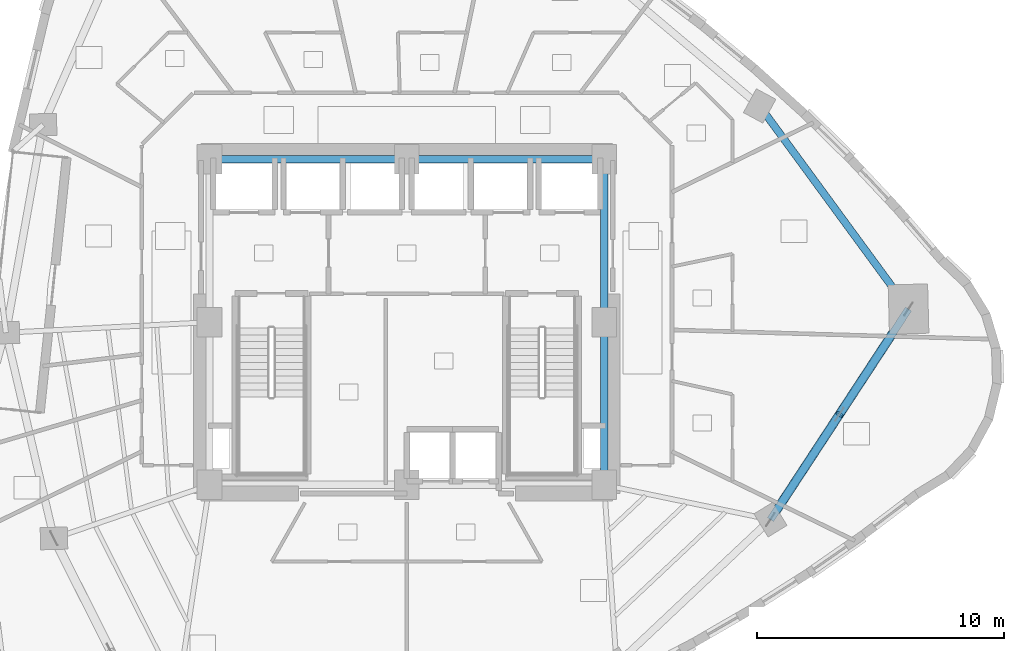
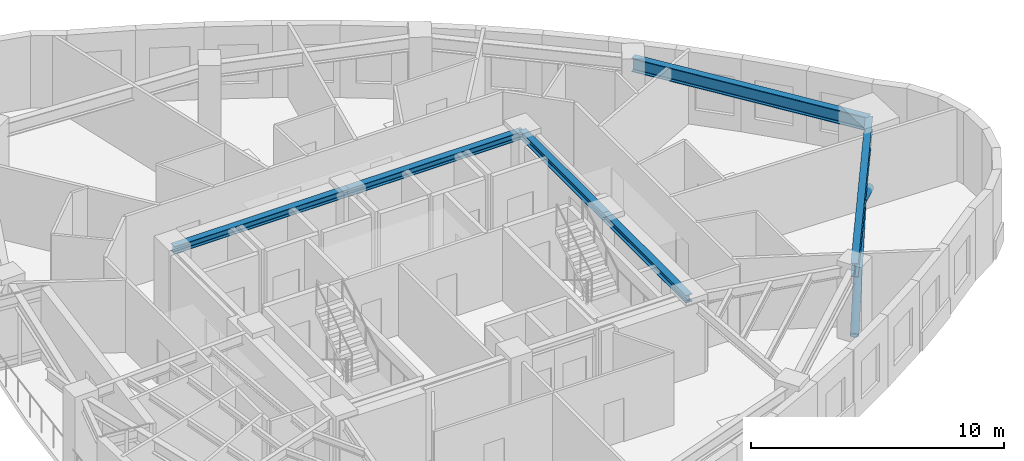
# One storey, part 6 of 16: 6 beams, 2 members.
"""IFC4 building model written with IfcOpenShell, lengths in metres."""

from ifc_helpers import new_model, si_unit, direction, frame, origin, origin_2d, place, context, subcontext, project, spatial, hollow_circle, i_section, extrude, material, material_profile, profile_set, type_object, element, save


model = new_model("IFC4")

# Units and contexts
model_context = context("Model", 3, precision=1e-05, world=origin(), true_north=direction((0.0, 1.0)))
body_context = subcontext(model_context, "Body", "Model", "MODEL_VIEW")
ifc_project = project(units=[si_unit("LENGTHUNIT", "METRE"), si_unit("AREAUNIT", "SQUARE_METRE"), si_unit("VOLUMEUNIT", "CUBIC_METRE"), si_unit("PLANEANGLEUNIT", "RADIAN"), si_unit("MASSUNIT", "GRAM", prefix="KILO")], contexts=[model_context])

# Site, building, storey
site_placement = place(None, origin())
site = spatial("IfcSite", under=ifc_project, at=site_placement, CompositionType="ELEMENT")
building_placement = place(site_placement, origin())
building = spatial("IfcBuilding", under=site, at=building_placement, Name="Ndelora Gate Hotel", CompositionType="ELEMENT")
storey_placement = place(building_placement, frame((0.0, 0.0, 97.25)))
storey = spatial("IfcBuildingStorey", under=building, at=storey_placement, Name="L23", CompositionType="ELEMENT", Elevation=97.25)

# Beams
ifc_material = material(Name="Steel S355", Category="steel")
ifc_material_profile_1 = material_profile(ifc_material, i_section(OverallWidth=0.300048828125, OverallDepth=0.360107421875, WebThickness=0.012451171875, FlangeThickness=0.0224609375, FilletRadius=0.027099609375, at=origin_2d()), Name="HEB 360")
ifc_profile_set_1 = profile_set([ifc_material_profile_1], Name="Steel S355")
beam_type_1 = type_object("IfcBeamType", Name="BM-CORE-360", PredefinedType="BEAM", material=ifc_profile_set_1)
for number, where, z_axis, x_axis, name in (
    (1, (-8.0, 6.60009765625, 3.320068359375), (1.0, 0.0, 0.0), (0.0, 1.0, 0.0), "L23 Core Tie Girder CC7-CC6"),
    (2, (0.0, 6.60009765625, 3.320068359375), (1.0, 0.0, 0.0), (0.0, 1.0, 0.0), "L23 Core Tie Girder CC6-CC5"),
):
    element("IfcBeam", number, at=place(storey_placement, frame(where, z_axis=z_axis, x_axis=x_axis)), inside=storey, type_object=beam_type_1, Name=name, PredefinedType="BEAM", context=body_context, shape_type="SweptSolid", body=[
        extrude(i_section(OverallWidth=0.300048828125, OverallDepth=0.360107421875, WebThickness=0.012451171875, FlangeThickness=0.0224609375, FilletRadius=0.027099609375, at=origin_2d()), origin(), (0.0, 0.0, 1.0), 8.0),
    ])
for number, where, z_axis, x_axis, name in (
    (3, (8.0, -6.60009765625, 3.320068359375), (0.0, 1.0, 0.0), (-1.0, 0.0, 0.0), "L23 Core Tie Girder CC3-CC4"),
    (4, (8.0, 0.0, 3.320068359375), (0.0, 1.0, 0.0), (-1.0, 0.0, 0.0), "L23 Core Tie Girder CC4-CC5"),
):
    element("IfcBeam", number, at=place(storey_placement, frame(where, z_axis=z_axis, x_axis=x_axis)), inside=storey, type_object=beam_type_1, Name=name, PredefinedType="BEAM", context=body_context, shape_type="SweptSolid", body=[
        extrude(i_section(OverallWidth=0.300048828125, OverallDepth=0.360107421875, WebThickness=0.012451171875, FlangeThickness=0.0224609375, FilletRadius=0.027099609375, at=origin_2d()), origin(), (0.0, 0.0, 1.0), 6.60009765625),
    ])
ifc_material_profile_2 = material_profile(ifc_material, i_section(OverallWidth=0.300048828125, OverallDepth=0.64990234375, WebThickness=0.01611328125, FlangeThickness=0.031005859375, FilletRadius=0.027099609375, at=origin_2d()), Name="HEB 650")
ifc_profile_set_2 = profile_set([ifc_material_profile_2], Name="Steel S355")
beam_type_2 = type_object("IfcBeamType", Name="BM-RING-650", PredefinedType="SPANDREL", material=ifc_profile_set_2)
for number, where, z_axis, x_axis, name in (
    (5, (14.74658203125, -8.006591796875, 3.175048828125), (0.548194123818, 0.836351123998, 0.0), (-0.836351123998, 0.548194123818, 0.0), "L23 Perimeter Spandrel Girder 8"),
    (6, (20.34375, 0.53271484375, 3.175048828125), (-0.591229932094, 0.806503048597, 0.0), (-0.806503048597, -0.591229932094, 0.0), "L23 Perimeter Spandrel Girder 9"),
):
    element("IfcBeam", number, at=place(storey_placement, frame(where, z_axis=z_axis, x_axis=x_axis)), inside=storey, type_object=beam_type_2, Name=name, PredefinedType="SPANDREL", context=body_context, shape_type="SweptSolid", body=[
        extrude(i_section(OverallWidth=0.300048828125, OverallDepth=0.64990234375, WebThickness=0.01611328125, FlangeThickness=0.031005859375, FilletRadius=0.027099609375, at=origin_2d()), origin(), (0.0, 0.0, 1.0), 10.210205078125),
    ])

# Members
ifc_material_profile_3 = material_profile(ifc_material, hollow_circle(Radius=0.177978515625, WallThickness=0.01611328125, at=origin_2d()), Name="CHS 356x16")
ifc_profile_set_3 = profile_set([ifc_material_profile_3], Name="Steel S355")
member_type = type_object("IfcMemberType", Name="MB-TUBE-356", PredefinedType="BRACE", material=ifc_profile_set_3)
member_1_placement = place(storey_placement, frame((14.74658203125, -8.006591796875, 0.02001953125), z_axis=(0.47546124485, 0.725365632901, 0.497776358671), x_axis=(-0.836343937987, 0.548205086982, 0.0)))
element("IfcMember", 7, at=member_1_placement, inside=storey, type_object=member_type, Name="L23 Perimeter Braced-Tube Diagonal 8A", PredefinedType="BRACE", context=body_context, shape_type="SweptSolid", body=[
    extrude(hollow_circle(Radius=0.177978515625, WallThickness=0.01611328125, at=origin_2d()), origin(), (0.0, 0.0, 1.0), 5.885986328125),
])
member_2_placement = place(storey_placement, frame((20.34375, 0.53271484375, 0.02001953125), z_axis=(-0.475446940052, -0.7253852861, 0.497761382497), x_axis=(0.836358309577, -0.548183160997, 0.0)))
element("IfcMember", 8, at=member_2_placement, inside=storey, type_object=member_type, Name="L23 Perimeter Braced-Tube Diagonal 8B", PredefinedType="BRACE", context=body_context, shape_type="SweptSolid", body=[
    extrude(hollow_circle(Radius=0.177978515625, WallThickness=0.01611328125, at=origin_2d()), origin(), (0.0, 0.0, 1.0), 5.88623046875),
])

save(model, "model.ifc")
